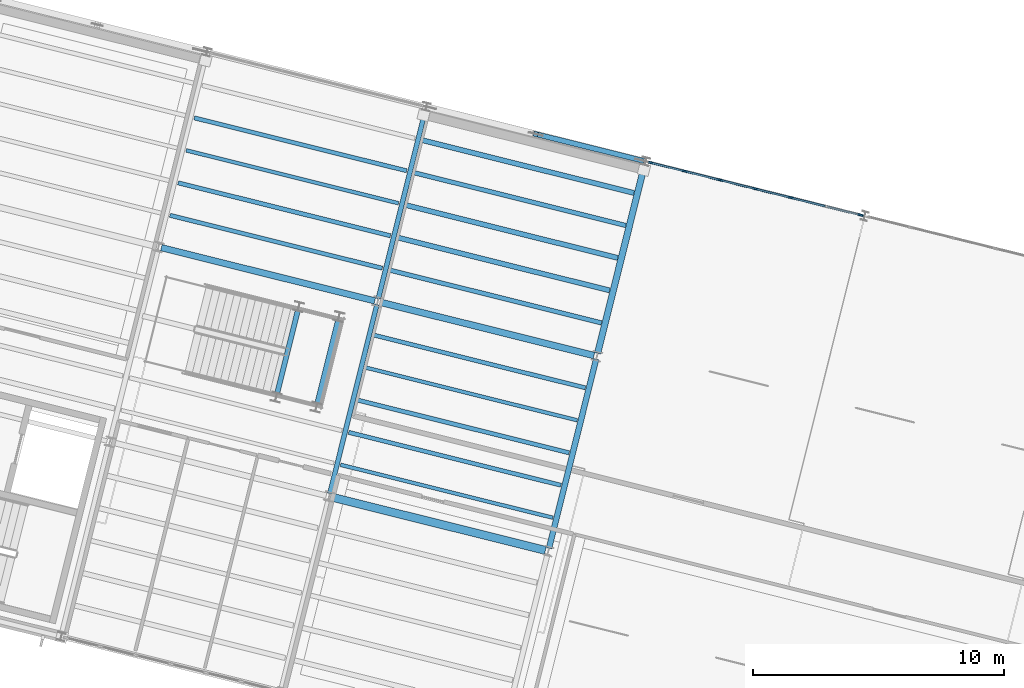
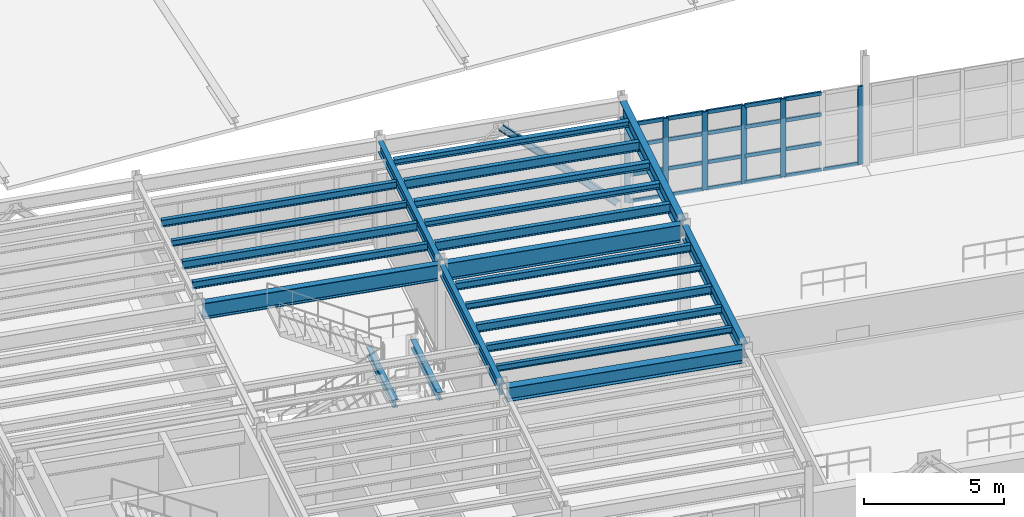
# One storey, part 18 of 59: 28 members, 23 beams, 1 element without a shape of its own.
"""IFC4 building model written with IfcOpenShell, lengths in metres."""

import ifcopenshell
import ifcopenshell.guid

model = None  # the IFC model being written
_history = None  # IfcOwnerHistory: only IFC2X3 demands one
_inside = {}  # id of a spatial element -> (the spatial element, [elements in it])
_under = {}  # id of a project, library or spatial element -> (it, [spatial elements below it])
_declared = {}  # id of a project -> (the project, [libraries it declares])
_typed = {}  # id of a type object -> (the type object, [elements of that type])
_made_of = {}  # id of a material, layer set ... -> (it, [elements and type objects made of it])


def new_model(schema):
    """Start an empty IFC model of exactly this schema.

    Asked for "IFC4X3", IfcOpenShell would pick the latest addendum, in which some entities
    have other attributes; the version numbers below select the first issue.
    IFC2X3 requires an IfcOwnerHistory on every rooted entity: one is made here for all.
    """
    global model, _history
    if schema == "IFC4X3":
        model = ifcopenshell.file(schema_version=(4, 3, 0, 0))
    else:
        model = ifcopenshell.file(schema=schema)
    _inside.clear()
    _under.clear()
    _declared.clear()
    _typed.clear()
    _made_of.clear()
    _history = None
    if model.schema == "IFC2X3":
        org = make("IfcOrganization", Name="unknown")
        user = make(
            "IfcPersonAndOrganization",
            ThePerson=make("IfcPerson", FamilyName="unknown"),
            TheOrganization=org,
        )
        app = make(
            "IfcApplication",
            ApplicationDeveloper=org,
            Version="unknown",
            ApplicationFullName="unknown",
            ApplicationIdentifier="unknown",
        )
        _history = make(
            "IfcOwnerHistory",
            OwningUser=user,
            OwningApplication=app,
            ChangeAction="ADDED",
            CreationDate=0,
        )
    return model


def make(cls, **values):
    """One entity of the class cls with the attributes given. An attribute that is None is left unset."""
    return model.create_entity(
        cls, **{name: value for name, value in values.items() if value is not None}
    )


def rooted(cls, **values):
    """An entity with a GlobalId (a new one), such as an element, a storey or a relation."""
    return make(cls, GlobalId=ifcopenshell.guid.new(), OwnerHistory=_history, **values)


def si_unit(unit_type, name, prefix=None):
    """IfcSIUnit, for example si_unit("LENGTHUNIT", "METRE", prefix="MILLI")."""
    return make("IfcSIUnit", UnitType=unit_type, Prefix=prefix, Name=name)


def assignment(units):
    """IfcUnitAssignment: the units of a project."""
    return None if units is None else make("IfcUnitAssignment", Units=units)


def point(xyz):
    """IfcCartesianPoint."""
    return None if xyz is None else make("IfcCartesianPoint", Coordinates=xyz)


def direction(xyz):
    """IfcDirection."""
    return None if xyz is None else make("IfcDirection", DirectionRatios=xyz)


def frame(location, z_axis=None, x_axis=None):
    """IfcAxis2Placement3D, a coordinate frame: its origin and axes. An axis left out is left unset."""
    return make(
        "IfcAxis2Placement3D",
        Location=point(location),
        Axis=direction(z_axis),
        RefDirection=direction(x_axis),
    )


def frame_2d(location, x_axis=None):
    """IfcAxis2Placement2D, a coordinate frame in the plane: its origin and x axis."""
    return make(
        "IfcAxis2Placement2D", Location=point(location), RefDirection=direction(x_axis)
    )


def origin():
    """The frame at (0, 0, 0) with its axes left unset."""
    return frame((0.0, 0.0, 0.0))


def origin_2d():
    """The frame at (0, 0) in the plane with its x axis left unset."""
    return frame_2d((0.0, 0.0))


def place(relative_to, where):
    """IfcLocalPlacement: puts the frame where relative to a parent placement (None: the world)."""
    return make(
        "IfcLocalPlacement", PlacementRelTo=relative_to, RelativePlacement=where
    )


def context(
    kind, dimensions, precision=None, world=None, true_north=None, identifier=None
):
    """IfcGeometricRepresentationContext, for example the 3D "Model" context."""
    return make(
        "IfcGeometricRepresentationContext",
        ContextIdentifier=identifier,
        ContextType=kind,
        CoordinateSpaceDimension=dimensions,
        Precision=precision,
        WorldCoordinateSystem=world,
        TrueNorth=true_north,
    )


def subcontext(parent, identifier, kind, view, scale=None):
    """IfcGeometricRepresentationSubContext, for example "Body" below "Model"."""
    return make(
        "IfcGeometricRepresentationSubContext",
        ContextIdentifier=identifier,
        ContextType=kind,
        ParentContext=parent,
        TargetScale=scale,
        TargetView=view,
    )


def project(units=None, contexts=None):
    """IfcProject with its units and contexts."""
    return rooted(
        "IfcProject",
        Name="project",
        RepresentationContexts=contexts,
        UnitsInContext=assignment(units),
    )


def spatial(cls, under=None, at=None, **own):
    """A site, building, storey or space (cls), placed at a placement, below another one or the project."""
    s = rooted(cls, ObjectPlacement=at, **own)
    if under is not None:
        _under.setdefault(under.id(), (under, []))[1].append(s)
    return s


def profile(cls, at=None, kind="AREA", **sizes):
    """A parametric profile (cls). Its sizes go by their IFC names, for example OverallWidth=200.0."""
    return make(cls, ProfileType=kind, Position=at, **sizes)


def rectangle(**sizes):
    """IfcRectangleProfileDef."""
    return profile("IfcRectangleProfileDef", **sizes)


def i_section(**sizes):
    """IfcIShapeProfileDef."""
    return profile("IfcIShapeProfileDef", **sizes)


def extrude(swept, where, along, depth):
    """IfcExtrudedAreaSolid: the profile swept, set in the frame where, extruded along a direction by depth."""
    return make(
        "IfcExtrudedAreaSolid",
        SweptArea=swept,
        Position=where,
        ExtrudedDirection=direction(along),
        Depth=depth,
    )


def shape(context_of_items, identifier, shape_type, items):
    """IfcShapeRepresentation: the items that make up one representation, for example the "Body"."""
    return make(
        "IfcShapeRepresentation",
        ContextOfItems=context_of_items,
        RepresentationIdentifier=identifier,
        RepresentationType=shape_type,
        Items=items,
    )


def material(Name=None, Category=None):
    """IfcMaterial."""
    return make("IfcMaterial", Name=Name, Category=Category)


def layer(
    of_material, thickness, ventilated=None, Name=None, Category=None, Priority=None
):
    """IfcMaterialLayer: one layer of a wall or slab, of a material (None: an air gap)."""
    return make(
        "IfcMaterialLayer",
        Material=of_material,
        LayerThickness=thickness,
        IsVentilated=ventilated,
        Name=Name,
        Category=Category,
        Priority=Priority,
    )


def layer_set(layers, Name=None):
    """IfcMaterialLayerSet."""
    return make("IfcMaterialLayerSet", MaterialLayers=layers, LayerSetName=Name)


def material_profile(
    of_material, cross_section, Name=None, Category=None, Priority=None
):
    """IfcMaterialProfile: a cross section and its material."""
    return make(
        "IfcMaterialProfile",
        Name=Name,
        Material=of_material,
        Profile=cross_section,
        Priority=Priority,
        Category=Category,
    )


def profile_set(profiles, Name=None, composite=None):
    """IfcMaterialProfileSet."""
    return make(
        "IfcMaterialProfileSet",
        Name=Name,
        MaterialProfiles=profiles,
        CompositeProfile=composite,
    )


def made_of(thing, what):
    """Note that an element or type object is made of a material, layer set ...; save() writes the relation."""
    if what is not None:
        _made_of.setdefault(what.id(), (what, []))[1].append(thing)
    return thing


def type_object(cls, material=None, **own):
    """A type object (cls), such as IfcWallType, which elements share."""
    return made_of(rooted(cls, **own), material)


def element(
    cls,
    number,
    at=None,
    inside=None,
    cuts=None,
    type_object=None,
    material=None,
    context=None,
    identifier="Body",
    shape_type=None,
    held_by="IfcProductDefinitionShape",
    body=None,
    shapes=None,
    **own,
):
    """One element of the class cls, such as IfcWall. Its Tag is "e" and its number.

    at: its placement. inside: the storey or other place that contains it. cuts: it is an
    opening in that element (IfcRelVoidsElement). A single representation is given by context,
    identifier, shape_type and body (its items); several are given by shapes. held_by: the class
    of the entity that holds the representations. save() writes the other relations.
    """
    e = rooted(cls, Tag="e%d" % number, ObjectPlacement=at, **own)
    if body is not None:
        shapes = [shape(context, identifier, shape_type, body)]
    if shapes is not None:
        e.Representation = make(held_by, Representations=shapes)
    if inside is not None:
        _inside.setdefault(inside.id(), (inside, []))[1].append(e)
    if cuts is not None:
        rooted(
            "IfcRelVoidsElement", RelatingBuildingElement=cuts, RelatedOpeningElement=e
        )
    if type_object is not None:
        _typed.setdefault(type_object.id(), (type_object, []))[1].append(e)
    return made_of(e, material)


def aggregate(whole, parts):
    """IfcRelAggregates: a whole, such as a stair, and the parts it consists of."""
    return rooted("IfcRelAggregates", RelatingObject=whole, RelatedObjects=parts)


def save(model, path):
    """Write the relations noted so far, then the file.

    IfcRelAggregates (storeys below a building ...), IfcRelContainedInSpatialStructure (elements
    in a storey), IfcRelDefinesByType, IfcRelAssociatesMaterial and IfcRelDeclares: one each for
    every whole, place, type object, material and project.
    """
    for whole, parts in _under.values():
        aggregate(whole, parts)
    for where, things in _inside.values():
        rooted(
            "IfcRelContainedInSpatialStructure",
            RelatedElements=things,
            RelatingStructure=where,
        )
    for kind, things in _typed.values():
        rooted("IfcRelDefinesByType", RelatedObjects=things, RelatingType=kind)
    for what, things in _made_of.values():
        rooted("IfcRelAssociatesMaterial", RelatedObjects=things, RelatingMaterial=what)
    for by, libraries in _declared.values():
        rooted("IfcRelDeclares", RelatingContext=by, RelatedDefinitions=libraries)
    model.write(path)


model = new_model("IFC4")

# Units and contexts
model_context = context("Model", 3, precision=1e-05, world=origin(), true_north=direction((0.0, 1.0)))
body_context = subcontext(model_context, "Body", "Model", "MODEL_VIEW")
ifc_project = project(units=[si_unit("LENGTHUNIT", "METRE"), si_unit("AREAUNIT", "SQUARE_METRE"), si_unit("VOLUMEUNIT", "CUBIC_METRE"), si_unit("PLANEANGLEUNIT", "RADIAN"), si_unit("MASSUNIT", "GRAM", prefix="KILO")], contexts=[model_context])

# Site, building, storey
site_placement = place(None, origin())
site = spatial("IfcSite", under=ifc_project, at=site_placement, CompositionType="ELEMENT")
building_placement = place(site_placement, origin())
building = spatial("IfcBuilding", under=site, at=building_placement, Name="Vireo Bluff Cable Station", CompositionType="ELEMENT")
storey_placement = place(building_placement, frame((0.0, 0.0, 14.39990234375)))
storey = spatial("IfcBuildingStorey", under=building, at=storey_placement, Name="L03", CompositionType="ELEMENT", Elevation=14.39990234375)

# Beams
ifc_material_1 = material(Name="Steel ASTM A992 Gr. 50", Category="steel")
ifc_material_profile_1 = material_profile(ifc_material_1, i_section(OverallWidth=0.2041015625, OverallDepth=0.35009765625, WebThickness=0.008544921875, FlangeThickness=0.01513671875, FilletRadius=0.010009765625, at=origin_2d()), Name="W14X48")
ifc_profile_set_1 = profile_set([ifc_material_profile_1], Name="Steel ASTM A992 Gr. 50")
beam_type_1 = type_object("IfcBeamType", Name="BM-W14X48", PredefinedType="BEAM", material=ifc_profile_set_1)
for number, where, z_axis, x_axis, name in (
    (1, (71.326904296875, 45.49072265625, 2.025146484375), (0.24193442655, 0.970292601873, 0.0), (-0.970292601873, 0.24193442655, 0.0), "ST-10 L03 landing header beam N"),
    (2, (72.927734375, 45.091552734375, 2.025146484375), (0.24193442655, 0.970292601873, 0.0), (-0.970292601873, 0.24193442655, 0.0), "ST-10 L03 landing header beam F"),
):
    element("IfcBeam", number, at=place(storey_placement, frame(where, z_axis=z_axis, x_axis=x_axis)), inside=storey, type_object=beam_type_1, Name=name, PredefinedType="BEAM", context=body_context, shape_type="SweptSolid", body=[
        extrude(i_section(OverallWidth=0.2041015625, OverallDepth=0.35009765625, WebThickness=0.008544921875, FlangeThickness=0.01513671875, FilletRadius=0.010009765625, at=origin_2d()), origin(), (0.0, 0.0, 1.0), 3.440185546875),
    ])
ifc_material_profile_2 = material_profile(ifc_material_1, i_section(OverallWidth=0.19091796875, OverallDepth=0.45703125, WebThickness=0.009033203125, FlangeThickness=0.014404296875, FilletRadius=0.011962890625, at=origin_2d()), Name="W18X50")
ifc_profile_set_2 = profile_set([ifc_material_profile_2], Name="Steel ASTM A992 Gr. 50")
beam_type_2 = type_object("IfcBeamType", Name="BM-W18X50", PredefinedType="BEAM", material=ifc_profile_set_2)
beam_1_placement = place(storey_placement, frame((73.4296875, 41.524169921875, 4.3115234375), z_axis=(0.241935966891, 0.970292217801, 0.0), x_axis=(-0.970292217801, 0.241935966891, 0.0)))
element("IfcBeam", 3, at=beam_1_placement, inside=storey, type_object=beam_type_2, Name="V1 L03 beam 291", PredefinedType="BEAM", context=body_context, shape_type="SweptSolid", body=[
    extrude(i_section(OverallWidth=0.19091796875, OverallDepth=0.45703125, WebThickness=0.009033203125, FlangeThickness=0.014404296875, FilletRadius=0.011962890625, at=origin_2d()), origin(), (0.0, 0.0, 1.0), 7.760009765625),
])
ifc_material_profile_3 = material_profile(ifc_material_1, i_section(OverallWidth=0.193115234375, OverallDepth=0.467041015625, WebThickness=0.011474609375, FlangeThickness=0.01904296875, FilletRadius=0.011962890625, at=origin_2d()), Name="W18X65")
ifc_profile_set_3 = profile_set([ifc_material_profile_3], Name="Steel ASTM A992 Gr. 50")
beam_type_3 = type_object("IfcBeamType", Name="BM-W18X65", PredefinedType="BEAM", material=ifc_profile_set_3)
beam_2_placement = place(storey_placement, frame((75.364990234375, 49.28662109375, 4.306640625), z_axis=(0.241935966891, 0.970292217801, 0.0), x_axis=(-0.970292217801, 0.241935966891, 0.0)))
element("IfcBeam", 4, at=beam_2_placement, inside=storey, type_object=beam_type_3, Name="V1 L03 beam 292", PredefinedType="BEAM", context=body_context, shape_type="SweptSolid", body=[
    extrude(i_section(OverallWidth=0.193115234375, OverallDepth=0.467041015625, WebThickness=0.011474609375, FlangeThickness=0.01904296875, FilletRadius=0.011962890625, at=origin_2d()), origin(), (0.0, 0.0, 1.0), 7.760009765625),
])

# Member
ifc_material_profile_4 = material_profile(ifc_material_1, i_section(OverallWidth=0.2041015625, OverallDepth=0.257080078125, WebThickness=0.0087890625, FlangeThickness=0.015625, FilletRadius=0.009033203125, at=origin_2d()), Name="W10X45")
ifc_profile_set_4 = profile_set([ifc_material_profile_4], Name="Steel ASTM A992 Gr. 50")
member_type_1 = type_object("IfcMemberType", Name="BRC-01", PredefinedType="BRACE", material=ifc_profile_set_4)
member_1_placement = place(storey_placement, frame((85.848876953125, 54.7939453125, 0.0400390625), z_axis=(-0.702089162406, 0.175023676639, 0.690244536847), x_axis=(-0.241887009228, -0.970304423759, 0.0)))
element("IfcMember", 5, at=member_1_placement, inside=storey, type_object=member_type_1, Name="V1 L03 concentric brace 18R", PredefinedType="BRACE", context=body_context, shape_type="SweptSolid", body=[
    extrude(i_section(OverallWidth=0.2041015625, OverallDepth=0.257080078125, WebThickness=0.0087890625, FlangeThickness=0.015625, FilletRadius=0.009033203125, at=origin_2d()), origin(), (0.0, 0.0, 1.0), 5.998046875),
])

# Curtain wall, members
ifc_material_2 = material(Name="Anodized Aluminium 6063-T6", Category="aluminium")
ifc_layer = layer(ifc_material_2, 0.179931640625, Name="Anodized Aluminium 6063-T6")
ifc_layer_set = layer_set([ifc_layer], Name="Anodized Aluminium 6063-T6")
curtain_wall_type = type_object("IfcCurtainWallType", Name="CW-UNIT-1500", PredefinedType="USERDEFINED", material=ifc_layer_set)
curtain_wall_placement = place(storey_placement, origin())
curtain_wall = element("IfcCurtainWall", 6, at=curtain_wall_placement, inside=storey, type_object=curtain_wall_type, Name="V1 L03 north curtain wall CW-025", ObjectType="UNITISED CURTAIN WALL", PredefinedType="USERDEFINED")
ifc_material_profile_5 = material_profile(ifc_material_2, rectangle(XDim=0.074951171875, YDim=0.2099609375, at=origin_2d()), Name="ALU-M-75X210")
ifc_profile_set_5 = profile_set([ifc_material_profile_5], Name="Anodized Aluminium 6063-T6")
member_type_2 = type_object("IfcMemberType", Name="CWM-02", PredefinedType="MULLION", material=ifc_profile_set_5)
member_2_placement = place(storey_placement, frame((86.1904296875, 54.708740234375, 0.0), z_axis=(0.0, 0.0, 1.0), x_axis=(0.241921892467, 0.970295727057, 0.0)))
member_2 = element("IfcMember", 7, at=member_2_placement, type_object=member_type_2, Name="CW-025 mullion 1", PredefinedType="MULLION", context=body_context, shape_type="SweptSolid", body=[
    extrude(rectangle(XDim=0.074951171875, YDim=0.2099609375, at=origin_2d()), origin(), (0.0, 0.0, 1.0), 3.400146484375),
])
member_3_placement = place(storey_placement, frame((87.563720703125, 54.366455078125, 0.0), z_axis=(0.0, 0.0, 1.0), x_axis=(0.241921892467, 0.970295727057, 0.0)))
member_3 = element("IfcMember", 8, at=member_3_placement, type_object=member_type_2, Name="CW-025 mullion 2", PredefinedType="MULLION", context=body_context, shape_type="SweptSolid", body=[
    extrude(rectangle(XDim=0.074951171875, YDim=0.2099609375, at=origin_2d()), origin(), (0.0, 0.0, 1.0), 3.400146484375),
])
member_4_placement = place(storey_placement, frame((88.97314453125, 54.014892578125, 0.0), z_axis=(0.0, 0.0, 1.0), x_axis=(0.241921892467, 0.970295727057, 0.0)))
member_4 = element("IfcMember", 9, at=member_4_placement, type_object=member_type_2, Name="CW-025 mullion 3", PredefinedType="MULLION", context=body_context, shape_type="SweptSolid", body=[
    extrude(rectangle(XDim=0.074951171875, YDim=0.2099609375, at=origin_2d()), origin(), (0.0, 0.0, 1.0), 3.400146484375),
])
member_5_placement = place(storey_placement, frame((90.3828125, 53.66357421875, 0.0), z_axis=(0.0, 0.0, 1.0), x_axis=(0.241921892467, 0.970295727057, 0.0)))
member_5 = element("IfcMember", 10, at=member_5_placement, type_object=member_type_2, Name="CW-025 mullion 4", PredefinedType="MULLION", context=body_context, shape_type="SweptSolid", body=[
    extrude(rectangle(XDim=0.074951171875, YDim=0.2099609375, at=origin_2d()), origin(), (0.0, 0.0, 1.0), 3.400146484375),
])
member_6_placement = place(storey_placement, frame((91.79248046875, 53.31201171875, 0.0), z_axis=(0.0, 0.0, 1.0), x_axis=(0.241921892467, 0.970295727057, 0.0)))
member_6 = element("IfcMember", 11, at=member_6_placement, type_object=member_type_2, Name="CW-025 mullion 5", PredefinedType="MULLION", context=body_context, shape_type="SweptSolid", body=[
    extrude(rectangle(XDim=0.074951171875, YDim=0.2099609375, at=origin_2d()), origin(), (0.0, 0.0, 1.0), 3.400146484375),
])
member_7_placement = place(storey_placement, frame((94.5751953125, 52.6181640625, 0.0), z_axis=(0.0, 0.0, 1.0), x_axis=(0.241921892467, 0.970295727057, 0.0)))
member_7 = element("IfcMember", 12, at=member_7_placement, type_object=member_type_2, Name="CW-025 mullion 7", PredefinedType="MULLION", context=body_context, shape_type="SweptSolid", body=[
    extrude(rectangle(XDim=0.074951171875, YDim=0.2099609375, at=origin_2d()), origin(), (0.0, 0.0, 1.0), 3.400146484375),
])
ifc_material_profile_6 = material_profile(ifc_material_2, rectangle(XDim=0.074951171875, YDim=0.159912109375, at=origin_2d()), Name="ALU-T-75X160")
ifc_profile_set_6 = profile_set([ifc_material_profile_6], Name="Anodized Aluminium 6063-T6")
member_type_3 = type_object("IfcMemberType", Name="CWT-02", PredefinedType="USERDEFINED", material=ifc_profile_set_6)
member_8_placement = place(storey_placement, frame((86.226806640625, 54.69970703125, 0.03759765625), z_axis=(0.970303006066, -0.241892696087, 0.0), x_axis=(0.241892696087, 0.970303006066, 0.0)))
member_8 = element("IfcMember", 13, at=member_8_placement, type_object=member_type_3, Name="CW-025 transom 1.1", ObjectType="TRANSOM", PredefinedType="USERDEFINED", context=body_context, shape_type="SweptSolid", body=[
    extrude(rectangle(XDim=0.074951171875, YDim=0.159912109375, at=origin_2d()), origin(), (0.0, 0.0, 1.0), 1.34033203125),
])
member_9_placement = place(storey_placement, frame((86.226806640625, 54.69970703125, 1.190185546875), z_axis=(0.970303006066, -0.241892696087, 0.0), x_axis=(0.241892696087, 0.970303006066, 0.0)))
member_9 = element("IfcMember", 14, at=member_9_placement, type_object=member_type_3, Name="CW-025 transom 1.2", ObjectType="TRANSOM", PredefinedType="USERDEFINED", context=body_context, shape_type="SweptSolid", body=[
    extrude(rectangle(XDim=0.074951171875, YDim=0.159912109375, at=origin_2d()), origin(), (0.0, 0.0, 1.0), 1.34033203125),
])
member_10_placement = place(storey_placement, frame((86.226806640625, 54.69970703125, 2.447998046875), z_axis=(0.970303006066, -0.241892696087, 0.0), x_axis=(0.241892696087, 0.970303006066, 0.0)))
member_10 = element("IfcMember", 15, at=member_10_placement, type_object=member_type_3, Name="CW-025 transom 1.3", ObjectType="TRANSOM", PredefinedType="USERDEFINED", context=body_context, shape_type="SweptSolid", body=[
    extrude(rectangle(XDim=0.074951171875, YDim=0.159912109375, at=origin_2d()), origin(), (0.0, 0.0, 1.0), 1.34033203125),
])
member_11_placement = place(storey_placement, frame((86.226806640625, 54.69970703125, 3.362548828125), z_axis=(0.970303006066, -0.241892696087, 0.0), x_axis=(0.241892696087, 0.970303006066, 0.0)))
member_11 = element("IfcMember", 16, at=member_11_placement, type_object=member_type_3, Name="CW-025 transom 1.4", ObjectType="TRANSOM", PredefinedType="USERDEFINED", context=body_context, shape_type="SweptSolid", body=[
    extrude(rectangle(XDim=0.074951171875, YDim=0.159912109375, at=origin_2d()), origin(), (0.0, 0.0, 1.0), 1.34033203125),
])
member_12_placement = place(storey_placement, frame((87.60009765625, 54.357421875, 0.03759765625), z_axis=(0.970257060829, -0.242076921478, 0.0), x_axis=(0.242076921478, 0.970257060829, 0.0)))
member_12 = element("IfcMember", 17, at=member_12_placement, type_object=member_type_3, Name="CW-025 transom 2.1", ObjectType="TRANSOM", PredefinedType="USERDEFINED", context=body_context, shape_type="SweptSolid", body=[
    extrude(rectangle(XDim=0.074951171875, YDim=0.159912109375, at=origin_2d()), origin(), (0.0, 0.0, 1.0), 1.377685546875),
])
member_13_placement = place(storey_placement, frame((87.60009765625, 54.357421875, 1.190185546875), z_axis=(0.970257060829, -0.242076921478, 0.0), x_axis=(0.242076921478, 0.970257060829, 0.0)))
member_13 = element("IfcMember", 18, at=member_13_placement, type_object=member_type_3, Name="CW-025 transom 2.2", ObjectType="TRANSOM", PredefinedType="USERDEFINED", context=body_context, shape_type="SweptSolid", body=[
    extrude(rectangle(XDim=0.074951171875, YDim=0.159912109375, at=origin_2d()), origin(), (0.0, 0.0, 1.0), 1.377685546875),
])
member_14_placement = place(storey_placement, frame((87.60009765625, 54.357421875, 2.447998046875), z_axis=(0.970257060829, -0.242076921478, 0.0), x_axis=(0.242076921478, 0.970257060829, 0.0)))
member_14 = element("IfcMember", 19, at=member_14_placement, type_object=member_type_3, Name="CW-025 transom 2.3", ObjectType="TRANSOM", PredefinedType="USERDEFINED", context=body_context, shape_type="SweptSolid", body=[
    extrude(rectangle(XDim=0.074951171875, YDim=0.159912109375, at=origin_2d()), origin(), (0.0, 0.0, 1.0), 1.377685546875),
])
member_15_placement = place(storey_placement, frame((87.60009765625, 54.357421875, 3.362548828125), z_axis=(0.970257060829, -0.242076921478, 0.0), x_axis=(0.242076921478, 0.970257060829, 0.0)))
member_15 = element("IfcMember", 20, at=member_15_placement, type_object=member_type_3, Name="CW-025 transom 2.4", ObjectType="TRANSOM", PredefinedType="USERDEFINED", context=body_context, shape_type="SweptSolid", body=[
    extrude(rectangle(XDim=0.074951171875, YDim=0.159912109375, at=origin_2d()), origin(), (0.0, 0.0, 1.0), 1.377685546875),
])
member_16_placement = place(storey_placement, frame((89.009521484375, 54.005859375, 0.03759765625), z_axis=(0.970309040712, -0.241868488052, 0.0), x_axis=(0.241868488052, 0.970309040712, 0.0)))
member_16 = element("IfcMember", 21, at=member_16_placement, type_object=member_type_3, Name="CW-025 transom 3.1", ObjectType="TRANSOM", PredefinedType="USERDEFINED", context=body_context, shape_type="SweptSolid", body=[
    extrude(rectangle(XDim=0.074951171875, YDim=0.159912109375, at=origin_2d()), origin(), (0.0, 0.0, 1.0), 1.3779296875),
])
member_17_placement = place(storey_placement, frame((89.009521484375, 54.005859375, 1.190185546875), z_axis=(0.970309040712, -0.241868488052, 0.0), x_axis=(0.241868488052, 0.970309040712, 0.0)))
member_17 = element("IfcMember", 22, at=member_17_placement, type_object=member_type_3, Name="CW-025 transom 3.2", ObjectType="TRANSOM", PredefinedType="USERDEFINED", context=body_context, shape_type="SweptSolid", body=[
    extrude(rectangle(XDim=0.074951171875, YDim=0.159912109375, at=origin_2d()), origin(), (0.0, 0.0, 1.0), 1.3779296875),
])
member_18_placement = place(storey_placement, frame((89.009521484375, 54.005859375, 2.447998046875), z_axis=(0.970309040712, -0.241868488052, 0.0), x_axis=(0.241868488052, 0.970309040712, 0.0)))
member_18 = element("IfcMember", 23, at=member_18_placement, type_object=member_type_3, Name="CW-025 transom 3.3", ObjectType="TRANSOM", PredefinedType="USERDEFINED", context=body_context, shape_type="SweptSolid", body=[
    extrude(rectangle(XDim=0.074951171875, YDim=0.159912109375, at=origin_2d()), origin(), (0.0, 0.0, 1.0), 1.3779296875),
])
member_19_placement = place(storey_placement, frame((89.009521484375, 54.005859375, 3.362548828125), z_axis=(0.970309040712, -0.241868488052, 0.0), x_axis=(0.241868488052, 0.970309040712, 0.0)))
member_19 = element("IfcMember", 24, at=member_19_placement, type_object=member_type_3, Name="CW-025 transom 3.4", ObjectType="TRANSOM", PredefinedType="USERDEFINED", context=body_context, shape_type="SweptSolid", body=[
    extrude(rectangle(XDim=0.074951171875, YDim=0.159912109375, at=origin_2d()), origin(), (0.0, 0.0, 1.0), 1.3779296875),
])
member_20_placement = place(storey_placement, frame((90.419189453125, 53.654296875, 0.03759765625), z_axis=(0.970309040712, -0.241868488052, 0.0), x_axis=(0.241868488052, 0.970309040712, 0.0)))
member_20 = element("IfcMember", 25, at=member_20_placement, type_object=member_type_3, Name="CW-025 transom 4.1", ObjectType="TRANSOM", PredefinedType="USERDEFINED", context=body_context, shape_type="SweptSolid", body=[
    extrude(rectangle(XDim=0.074951171875, YDim=0.159912109375, at=origin_2d()), origin(), (0.0, 0.0, 1.0), 1.3779296875),
])
member_21_placement = place(storey_placement, frame((90.419189453125, 53.654296875, 1.190185546875), z_axis=(0.970309040712, -0.241868488052, 0.0), x_axis=(0.241868488052, 0.970309040712, 0.0)))
member_21 = element("IfcMember", 26, at=member_21_placement, type_object=member_type_3, Name="CW-025 transom 4.2", ObjectType="TRANSOM", PredefinedType="USERDEFINED", context=body_context, shape_type="SweptSolid", body=[
    extrude(rectangle(XDim=0.074951171875, YDim=0.159912109375, at=origin_2d()), origin(), (0.0, 0.0, 1.0), 1.3779296875),
])
member_22_placement = place(storey_placement, frame((90.419189453125, 53.654296875, 2.447998046875), z_axis=(0.970309040712, -0.241868488052, 0.0), x_axis=(0.241868488052, 0.970309040712, 0.0)))
member_22 = element("IfcMember", 27, at=member_22_placement, type_object=member_type_3, Name="CW-025 transom 4.3", ObjectType="TRANSOM", PredefinedType="USERDEFINED", context=body_context, shape_type="SweptSolid", body=[
    extrude(rectangle(XDim=0.074951171875, YDim=0.159912109375, at=origin_2d()), origin(), (0.0, 0.0, 1.0), 1.3779296875),
])
member_23_placement = place(storey_placement, frame((90.419189453125, 53.654296875, 3.362548828125), z_axis=(0.970309040712, -0.241868488052, 0.0), x_axis=(0.241868488052, 0.970309040712, 0.0)))
member_23 = element("IfcMember", 28, at=member_23_placement, type_object=member_type_3, Name="CW-025 transom 4.4", ObjectType="TRANSOM", PredefinedType="USERDEFINED", context=body_context, shape_type="SweptSolid", body=[
    extrude(rectangle(XDim=0.074951171875, YDim=0.159912109375, at=origin_2d()), origin(), (0.0, 0.0, 1.0), 1.3779296875),
])
member_24_placement = place(storey_placement, frame((91.828857421875, 53.302978515625, 0.03759765625), z_axis=(0.970298672181, -0.241910079914, 0.0), x_axis=(0.241910079914, 0.970298672181, 0.0)))
member_24 = element("IfcMember", 29, at=member_24_placement, type_object=member_type_3, Name="CW-025 transom 5.1", ObjectType="TRANSOM", PredefinedType="USERDEFINED", context=body_context, shape_type="SweptSolid", body=[
    extrude(rectangle(XDim=0.074951171875, YDim=0.159912109375, at=origin_2d()), origin(), (0.0, 0.0, 1.0), 1.377685546875),
])
member_25_placement = place(storey_placement, frame((91.828857421875, 53.302978515625, 1.190185546875), z_axis=(0.970298672181, -0.241910079914, 0.0), x_axis=(0.241910079914, 0.970298672181, 0.0)))
member_25 = element("IfcMember", 30, at=member_25_placement, type_object=member_type_3, Name="CW-025 transom 5.2", ObjectType="TRANSOM", PredefinedType="USERDEFINED", context=body_context, shape_type="SweptSolid", body=[
    extrude(rectangle(XDim=0.074951171875, YDim=0.159912109375, at=origin_2d()), origin(), (0.0, 0.0, 1.0), 1.377685546875),
])
member_26_placement = place(storey_placement, frame((91.828857421875, 53.302978515625, 2.447998046875), z_axis=(0.970298672181, -0.241910079914, 0.0), x_axis=(0.241910079914, 0.970298672181, 0.0)))
member_26 = element("IfcMember", 31, at=member_26_placement, type_object=member_type_3, Name="CW-025 transom 5.3", ObjectType="TRANSOM", PredefinedType="USERDEFINED", context=body_context, shape_type="SweptSolid", body=[
    extrude(rectangle(XDim=0.074951171875, YDim=0.159912109375, at=origin_2d()), origin(), (0.0, 0.0, 1.0), 1.377685546875),
])
member_27_placement = place(storey_placement, frame((91.828857421875, 53.302978515625, 3.362548828125), z_axis=(0.970298672181, -0.241910079914, 0.0), x_axis=(0.241910079914, 0.970298672181, 0.0)))
member_27 = element("IfcMember", 32, at=member_27_placement, type_object=member_type_3, Name="CW-025 transom 5.4", ObjectType="TRANSOM", PredefinedType="USERDEFINED", context=body_context, shape_type="SweptSolid", body=[
    extrude(rectangle(XDim=0.074951171875, YDim=0.159912109375, at=origin_2d()), origin(), (0.0, 0.0, 1.0), 1.377685546875),
])
member_28_placement = place(storey_placement, frame((93.23828125, 52.951416015625, 0.03759765625), z_axis=(0.970303006066, -0.241892696087, 0.0), x_axis=(0.241892696087, 0.970303006066, 0.0)))
member_28 = element("IfcMember", 33, at=member_28_placement, type_object=member_type_3, Name="CW-025 transom 6.1", ObjectType="TRANSOM", PredefinedType="USERDEFINED", context=body_context, shape_type="SweptSolid", body=[
    extrude(rectangle(XDim=0.074951171875, YDim=0.159912109375, at=origin_2d()), origin(), (0.0, 0.0, 1.0), 1.34033203125),
])
aggregate(curtain_wall, [member_2, member_3, member_4, member_5, member_6, member_7, member_8, member_9, member_10, member_11, member_12, member_13, member_14, member_15, member_16, member_17, member_18, member_19, member_20, member_21, member_22, member_23, member_24, member_25, member_26, member_27, member_28])

# Beams
ifc_material_profile_7 = material_profile(ifc_material_1, i_section(OverallWidth=0.324951171875, OverallDepth=0.612060546875, WebThickness=0.0126953125, FlangeThickness=0.01904296875, FilletRadius=0.012939453125, at=origin_2d()), Name="W24X104")
ifc_profile_set_7 = profile_set([ifc_material_profile_7], Name="Steel ASTM A992 Gr. 50")
beam_type_4 = type_object("IfcBeamType", Name="GIR-W24X104", PredefinedType="USERDEFINED", material=ifc_profile_set_7)
beam_3_placement = place(storey_placement, frame((73.51708984375, 41.378662109375, 4.234130859375), z_axis=(0.970298044881, -0.241912595995, 0.0), x_axis=(0.241912595995, 0.970298044881, 0.0)))
element("IfcBeam", 34, at=beam_3_placement, inside=storey, type_object=beam_type_4, Name="V1 L03 girder 277", ObjectType="GIRDER", PredefinedType="USERDEFINED", context=body_context, shape_type="SweptSolid", body=[
    extrude(i_section(OverallWidth=0.324951171875, OverallDepth=0.612060546875, WebThickness=0.0126953125, FlangeThickness=0.01904296875, FilletRadius=0.012939453125, at=origin_2d()), origin(), (0.0, 0.0, 1.0), 8.760009765625),
])
ifc_material_profile_8 = material_profile(ifc_material_1, i_section(OverallWidth=0.257080078125, OverallDepth=0.693115234375, WebThickness=0.014404296875, FlangeThickness=0.023681640625, FilletRadius=0.014892578125, at=origin_2d()), Name="W27X114")
ifc_profile_set_8 = profile_set([ifc_material_profile_8], Name="Steel ASTM A992 Gr. 50")
beam_type_5 = type_object("IfcBeamType", Name="GIR-W27X114", PredefinedType="USERDEFINED", material=ifc_profile_set_8)
beam_4_placement = place(storey_placement, frame((66.7197265625, 51.318359375, 4.193603515625), z_axis=(0.970299675821, -0.241906054289, 0.0), x_axis=(0.241906054289, 0.970299675821, 0.0)))
element("IfcBeam", 35, at=beam_4_placement, inside=storey, type_object=beam_type_5, Name="V1 L03 girder 279", ObjectType="GIRDER", PredefinedType="USERDEFINED", context=body_context, shape_type="SweptSolid", body=[
    extrude(i_section(OverallWidth=0.257080078125, OverallDepth=0.693115234375, WebThickness=0.014404296875, FlangeThickness=0.023681640625, FilletRadius=0.014892578125, at=origin_2d()), origin(), (0.0, 0.0, 1.0), 8.76025390625),
])
ifc_material_profile_9 = material_profile(ifc_material_1, i_section(OverallWidth=0.264892578125, OverallDepth=0.7529296875, WebThickness=0.01318359375, FlangeThickness=0.01708984375, FilletRadius=0.01611328125, at=origin_2d()), Name="W30X99")
ifc_profile_set_9 = profile_set([ifc_material_profile_9], Name="Steel ASTM A992 Gr. 50")
beam_type_6 = type_object("IfcBeamType", Name="GIR-W30X99", PredefinedType="USERDEFINED", material=ifc_profile_set_9)
beam_5_placement = place(storey_placement, frame((75.452392578125, 49.14111328125, 4.16357421875), z_axis=(0.970299675821, -0.241906054289, 0.0), x_axis=(0.241906054289, 0.970299675821, 0.0)))
element("IfcBeam", 36, at=beam_5_placement, inside=storey, type_object=beam_type_6, Name="V1 L03 girder 280", ObjectType="GIRDER", PredefinedType="USERDEFINED", context=body_context, shape_type="SweptSolid", body=[
    extrude(i_section(OverallWidth=0.264892578125, OverallDepth=0.7529296875, WebThickness=0.01318359375, FlangeThickness=0.01708984375, FilletRadius=0.01611328125, at=origin_2d()), origin(), (0.0, 0.0, 1.0), 8.76025390625),
])
ifc_material_profile_10 = material_profile(ifc_material_1, i_section(OverallWidth=0.14599609375, OverallDepth=0.259033203125, WebThickness=0.006103515625, FlangeThickness=0.009033203125, FilletRadius=0.009033203125, at=origin_2d()), Name="W10X22")
ifc_profile_set_10 = profile_set([ifc_material_profile_10], Name="Steel ASTM A992 Gr. 50")
beam_type_7 = type_object("IfcBeamType", Name="JST-W10X22", PredefinedType="JOIST", material=ifc_profile_set_10)
for number, where, z_axis, x_axis, name in (
    (37, (67.70703125, 55.19482421875, 4.41064453125), (0.970293828661, -0.24192950639, 0.0), (0.24192950639, 0.970293828661, 0.0), "V1 L03 composite joist 315"),
    (38, (73.859130859375, 42.667724609375, 4.41064453125), (0.970293828661, -0.24192950639, 0.0), (0.24192950639, 0.970293828661, 0.0), "V1 L03 composite joist 323"),
    (39, (74.826904296875, 46.548828125, 4.41064453125), (0.970293828661, -0.24192950639, 0.0), (0.24192950639, 0.970293828661, 0.0), "V1 L03 composite joist 326"),
):
    element("IfcBeam", number, at=place(storey_placement, frame(where, z_axis=z_axis, x_axis=x_axis)), inside=storey, type_object=beam_type_7, Name=name, PredefinedType="JOIST", context=body_context, shape_type="SweptSolid", body=[
        extrude(i_section(OverallWidth=0.14599609375, OverallDepth=0.259033203125, WebThickness=0.006103515625, FlangeThickness=0.009033203125, FilletRadius=0.009033203125, at=origin_2d()), origin(), (0.0, 0.0, 1.0), 8.719970703125),
    ])
ifc_material_profile_11 = material_profile(ifc_material_1, i_section(OverallWidth=0.201904296875, OverallDepth=0.2470703125, WebThickness=0.00732421875, FlangeThickness=0.010986328125, FilletRadius=0.009033203125, at=origin_2d()), Name="W10X33")
ifc_profile_set_11 = profile_set([ifc_material_profile_11], Name="Steel ASTM A992 Gr. 50")
beam_type_8 = type_object("IfcBeamType", Name="JST-W10X33", PredefinedType="JOIST", material=ifc_profile_set_11)
beam_6_placement = place(storey_placement, frame((76.116943359375, 51.7236328125, 4.41650390625), z_axis=(0.97030203894, -0.241896575481, 0.0), x_axis=(0.241896575481, 0.97030203894, 0.0)))
element("IfcBeam", 40, at=beam_6_placement, inside=storey, type_object=beam_type_8, Name="V1 L03 composite joist 329", PredefinedType="JOIST", context=body_context, shape_type="SweptSolid", body=[
    extrude(i_section(OverallWidth=0.201904296875, OverallDepth=0.2470703125, WebThickness=0.00732421875, FlangeThickness=0.010986328125, FilletRadius=0.009033203125, at=origin_2d()), origin(), (0.0, 0.0, 1.0), 8.72021484375),
])
beam_7_placement = place(storey_placement, frame((77.084716796875, 55.60498046875, 4.41650390625), z_axis=(0.970293828661, -0.24192950639, 0.0), x_axis=(0.24192950639, 0.970293828661, 0.0)))
element("IfcBeam", 41, at=beam_7_placement, inside=storey, type_object=beam_type_8, Name="V1 L03 composite joist 332", PredefinedType="JOIST", context=body_context, shape_type="SweptSolid", body=[
    extrude(i_section(OverallWidth=0.201904296875, OverallDepth=0.2470703125, WebThickness=0.00732421875, FlangeThickness=0.010986328125, FilletRadius=0.009033203125, at=origin_2d()), origin(), (0.0, 0.0, 1.0), 8.719970703125),
])
ifc_material_profile_12 = material_profile(ifc_material_1, i_section(OverallWidth=0.1650390625, OverallDepth=0.31005859375, WebThickness=0.005859375, FlangeThickness=0.009765625, FilletRadius=0.010009765625, at=origin_2d()), Name="W12X26")
ifc_profile_set_12 = profile_set([ifc_material_profile_12], Name="Steel ASTM A992 Gr. 50")
beam_type_9 = type_object("IfcBeamType", Name="JST-W12X26", PredefinedType="JOIST", material=ifc_profile_set_12)
for number, where, z_axis, x_axis, name in (
    (42, (67.061767578125, 52.607177734375, 4.385009765625), (0.970300400641, -0.241903146974, 0.0), (0.241903146974, 0.970300400641, 0.0), "V1 L03 composite joist 313"),
    (43, (68.029541015625, 56.488525390625, 4.385009765625), (0.970293828661, -0.24192950639, 0.0), (0.24192950639, 0.970293828661, 0.0), "V1 L03 composite joist 316"),
    (44, (74.181640625, 43.96142578125, 4.385009765625), (0.970293828661, -0.24192950639, 0.0), (0.24192950639, 0.970293828661, 0.0), "V1 L03 composite joist 324"),
    (45, (75.1494140625, 47.842529296875, 4.385009765625), (0.970293828661, -0.24192950639, 0.0), (0.24192950639, 0.970293828661, 0.0), "V1 L03 composite joist 327"),
):
    element("IfcBeam", number, at=place(storey_placement, frame(where, z_axis=z_axis, x_axis=x_axis)), inside=storey, type_object=beam_type_9, Name=name, PredefinedType="JOIST", context=body_context, shape_type="SweptSolid", body=[
        extrude(i_section(OverallWidth=0.1650390625, OverallDepth=0.31005859375, WebThickness=0.005859375, FlangeThickness=0.009765625, FilletRadius=0.010009765625, at=origin_2d()), origin(), (0.0, 0.0, 1.0), 8.719970703125),
    ])
ifc_material_profile_13 = material_profile(ifc_material_1, i_section(OverallWidth=0.202880859375, OverallDepth=0.302978515625, WebThickness=0.007568359375, FlangeThickness=0.01318359375, FilletRadius=0.010009765625, at=origin_2d()), Name="W12X40")
ifc_profile_set_13 = profile_set([ifc_material_profile_13], Name="Steel ASTM A992 Gr. 50")
beam_type_10 = type_object("IfcBeamType", Name="JST-W12X40", PredefinedType="JOIST", material=ifc_profile_set_13)
beam_8_placement = place(storey_placement, frame((76.439697265625, 53.017333984375, 4.388671875), z_axis=(0.970300400641, -0.241903146974, 0.0), x_axis=(0.241903146974, 0.970300400641, 0.0)))
element("IfcBeam", 46, at=beam_8_placement, inside=storey, type_object=beam_type_10, Name="V1 L03 composite joist 330", PredefinedType="JOIST", context=body_context, shape_type="SweptSolid", body=[
    extrude(i_section(OverallWidth=0.202880859375, OverallDepth=0.302978515625, WebThickness=0.007568359375, FlangeThickness=0.01318359375, FilletRadius=0.010009765625, at=origin_2d()), origin(), (0.0, 0.0, 1.0), 8.719970703125),
])
ifc_material_profile_14 = material_profile(ifc_material_1, i_section(OverallWidth=0.1708984375, OverallDepth=0.35107421875, WebThickness=0.0068359375, FlangeThickness=0.009765625, FilletRadius=0.010009765625, at=origin_2d()), Name="W14X30")
ifc_profile_set_14 = profile_set([ifc_material_profile_14], Name="Steel ASTM A992 Gr. 50")
beam_type_11 = type_object("IfcBeamType", Name="JST-W14X30", PredefinedType="JOIST", material=ifc_profile_set_14)
beam_9_placement = place(storey_placement, frame((67.38427734375, 53.901123046875, 4.364501953125), z_axis=(0.970295467306, -0.24192293427, 0.0), x_axis=(0.24192293427, 0.970295467306, 0.0)))
element("IfcBeam", 47, at=beam_9_placement, inside=storey, type_object=beam_type_11, Name="V1 L03 composite joist 314", PredefinedType="JOIST", context=body_context, shape_type="SweptSolid", body=[
    extrude(i_section(OverallWidth=0.1708984375, OverallDepth=0.35107421875, WebThickness=0.0068359375, FlangeThickness=0.009765625, FilletRadius=0.010009765625, at=origin_2d()), origin(), (0.0, 0.0, 1.0), 8.72021484375),
])
beam_10_placement = place(storey_placement, frame((74.504150390625, 45.255126953125, 4.364501953125), z_axis=(0.970293828661, -0.24192950639, 0.0), x_axis=(0.24192950639, 0.970293828661, 0.0)))
element("IfcBeam", 48, at=beam_10_placement, inside=storey, type_object=beam_type_11, Name="V1 L03 composite joist 325", PredefinedType="JOIST", context=body_context, shape_type="SweptSolid", body=[
    extrude(i_section(OverallWidth=0.1708984375, OverallDepth=0.35107421875, WebThickness=0.0068359375, FlangeThickness=0.009765625, FilletRadius=0.010009765625, at=origin_2d()), origin(), (0.0, 0.0, 1.0), 8.719970703125),
])
ifc_material_profile_15 = material_profile(ifc_material_1, i_section(OverallWidth=0.177978515625, OverallDepth=0.404052734375, WebThickness=0.007568359375, FlangeThickness=0.010986328125, FilletRadius=0.010009765625, at=origin_2d()), Name="W16X36")
ifc_profile_set_15 = profile_set([ifc_material_profile_15], Name="Steel ASTM A992 Gr. 50")
beam_type_12 = type_object("IfcBeamType", Name="JST-W16X36", PredefinedType="JOIST", material=ifc_profile_set_15)
for number, where, z_axis, x_axis, name in (
    (49, (75.79443359375, 50.429931640625, 4.338134765625), (0.970300400641, -0.241903146974, 0.0), (0.241903146974, 0.970300400641, 0.0), "V1 L03 composite joist 328"),
    (50, (76.76220703125, 54.311279296875, 4.338134765625), (0.970293828661, -0.24192950639, 0.0), (0.24192950639, 0.970293828661, 0.0), "V1 L03 composite joist 331"),
):
    element("IfcBeam", number, at=place(storey_placement, frame(where, z_axis=z_axis, x_axis=x_axis)), inside=storey, type_object=beam_type_12, Name=name, PredefinedType="JOIST", context=body_context, shape_type="SweptSolid", body=[
        extrude(i_section(OverallWidth=0.177978515625, OverallDepth=0.404052734375, WebThickness=0.007568359375, FlangeThickness=0.010986328125, FilletRadius=0.010009765625, at=origin_2d()), origin(), (0.0, 0.0, 1.0), 8.719970703125),
    ])
ifc_material_profile_16 = material_profile(ifc_material_1, i_section(OverallWidth=0.22802734375, OverallDepth=0.60693359375, WebThickness=0.01123046875, FlangeThickness=0.017333984375, FilletRadius=0.012939453125, at=origin_2d()), Name="W24X76")
ifc_profile_set_16 = profile_set([ifc_material_profile_16], Name="Steel ASTM A992 Gr. 50")
beam_type_13 = type_object("IfcBeamType", Name="SPN-W24X76", PredefinedType="SPANDREL", material=ifc_profile_set_16)
beam_11_placement = place(storey_placement, frame((82.162353515625, 39.346923828125, 4.236572265625), z_axis=(0.241935966891, 0.970292217801, 0.0), x_axis=(-0.970292217801, 0.241935966891, 0.0)))
element("IfcBeam", 51, at=beam_11_placement, inside=storey, type_object=beam_type_13, Name="V1 L03 spandrel 294", PredefinedType="SPANDREL", context=body_context, shape_type="SweptSolid", body=[
    extrude(i_section(OverallWidth=0.22802734375, OverallDepth=0.60693359375, WebThickness=0.01123046875, FlangeThickness=0.017333984375, FilletRadius=0.012939453125, at=origin_2d()), origin(), (0.0, 0.0, 1.0), 7.760009765625),
])
ifc_material_profile_17 = material_profile(ifc_material_1, i_section(OverallWidth=0.257080078125, OverallDepth=0.693115234375, WebThickness=0.014404296875, FlangeThickness=0.023681640625, FilletRadius=0.014892578125, at=origin_2d()), Name="W27X114")
ifc_profile_set_17 = profile_set([ifc_material_profile_17], Name="Steel ASTM A992 Gr. 50")
beam_type_14 = type_object("IfcBeamType", Name="SPN-W27X114", PredefinedType="SPANDREL", material=ifc_profile_set_17)
beam_12_placement = place(storey_placement, frame((84.09765625, 47.109375, 4.193603515625), z_axis=(0.241943352562, 0.970290376203, 0.0), x_axis=(-0.970290376203, 0.241943352562, 0.0)))
element("IfcBeam", 52, at=beam_12_placement, inside=storey, type_object=beam_type_14, Name="V1 L03 spandrel 295", PredefinedType="SPANDREL", context=body_context, shape_type="SweptSolid", body=[
    extrude(i_section(OverallWidth=0.257080078125, OverallDepth=0.693115234375, WebThickness=0.014404296875, FlangeThickness=0.023681640625, FilletRadius=0.014892578125, at=origin_2d()), origin(), (0.0, 0.0, 1.0), 7.759765625),
])

save(model, "model.ifc")
